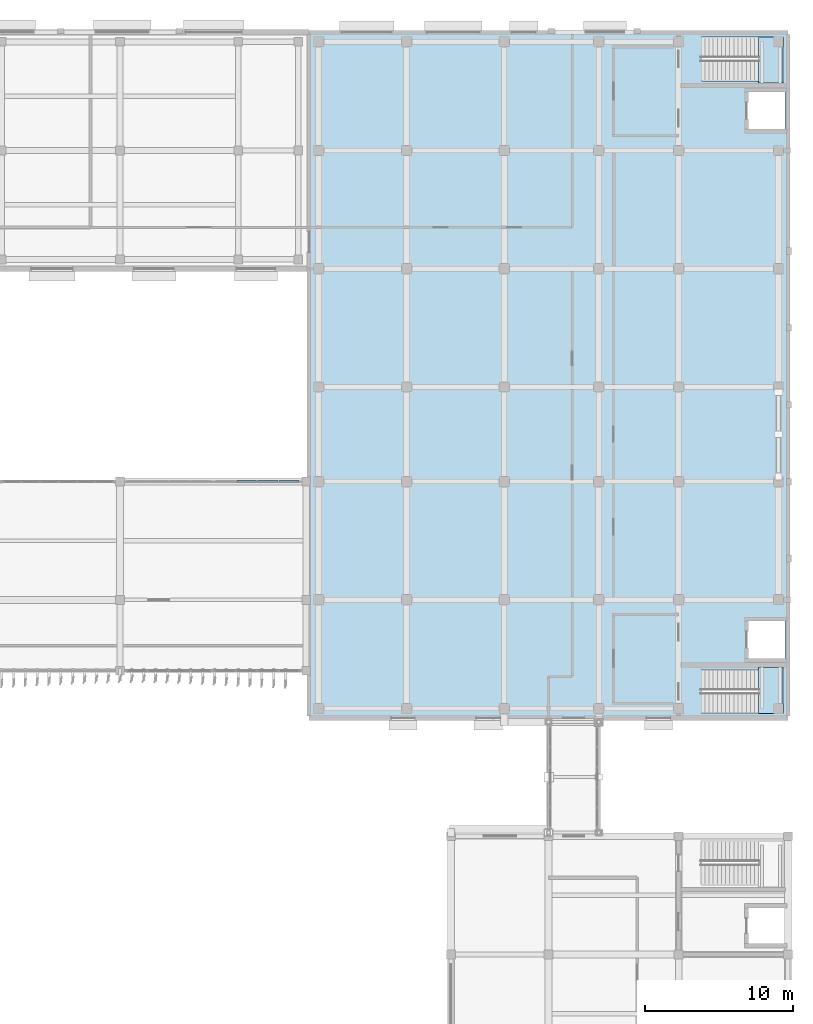
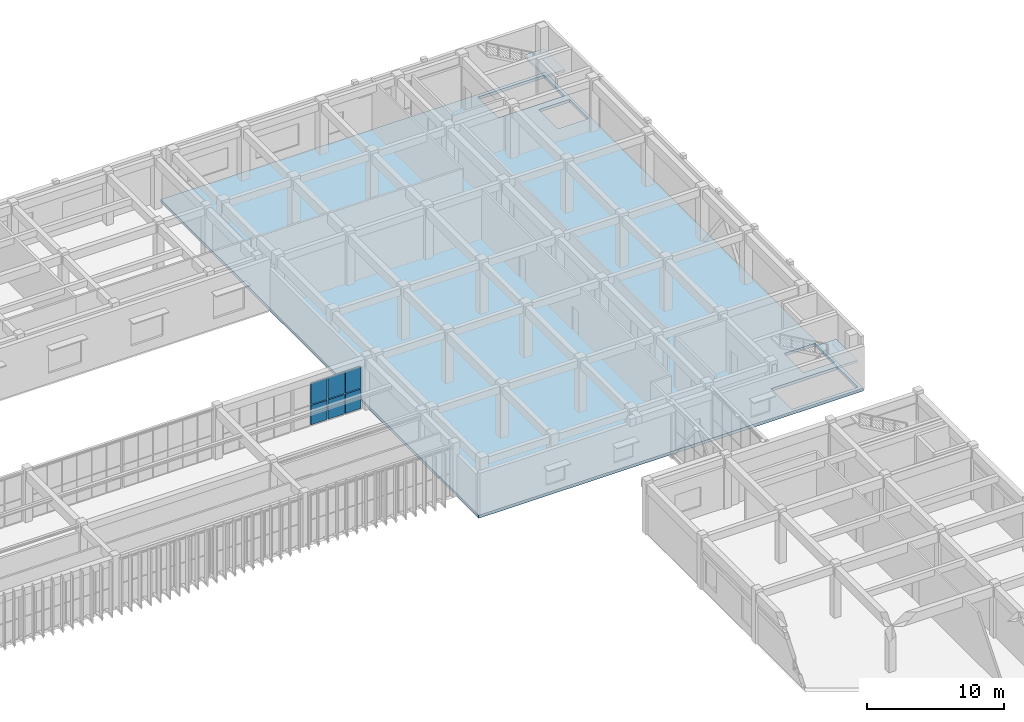
# One storey, part 35 of 64: 6 plates, 3 slabs, 3 elements without a shape of their own.
"""IFC4 building model written with IfcOpenShell, lengths in metres."""

from ifc_helpers import new_model, si_unit, direction, frame, origin, origin_2d, place, context, subcontext, project, spatial, polyline, rectangle, outline, extrude, material, layer, layer_set, type_object, element, aggregate, save


model = new_model("IFC4")

# Units and contexts
model_context = context("Model", 3, precision=1e-05, world=origin(), true_north=direction((0.0, 1.0)))
body_context = subcontext(model_context, "Body", "Model", "MODEL_VIEW")
ifc_project = project(units=[si_unit("LENGTHUNIT", "METRE"), si_unit("AREAUNIT", "SQUARE_METRE"), si_unit("VOLUMEUNIT", "CUBIC_METRE"), si_unit("PLANEANGLEUNIT", "RADIAN"), si_unit("MASSUNIT", "GRAM", prefix="KILO")], contexts=[model_context])

# Site, building, storey
site_placement = place(None, origin())
site = spatial("IfcSite", under=ifc_project, at=site_placement, CompositionType="ELEMENT")
building_placement = place(site_placement, origin())
building = spatial("IfcBuilding", under=site, at=building_placement, Name="Cinchona Park Media Centre", CompositionType="ELEMENT")
storey_placement = place(building_placement, frame((0.0, 0.0, 5.39990234375)))
storey = spatial("IfcBuildingStorey", under=building, at=storey_placement, Name="L01", CompositionType="ELEMENT", Elevation=5.39990234375)

# Curtain wall, plates
ifc_material_1 = material(Name="Aluminium Curtain Wall Framing", Category="aluminium")
ifc_layer_1 = layer(ifc_material_1, 0.22509765625)
ifc_layer_set_1 = layer_set([ifc_layer_1], Name="Aluminium Curtain Wall Framing")
curtain_wall_type = type_object("IfcCurtainWallType", Name="CW-CW04", PredefinedType="USERDEFINED", material=ifc_layer_set_1)
curtain_wall_placement = place(storey_placement, origin())
curtain_wall = element("IfcCurtainWall", 1, at=curtain_wall_placement, inside=storey, type_object=curtain_wall_type, Name="Curtain Wall CW04 L01", ObjectType="UNITISED CURTAIN WALL", PredefinedType="USERDEFINED")
ifc_material_2 = material(Name="Insulated Acoustic Aluminium-Glass Spandrel Cassette", Category="aluminium")
ifc_layer_2 = layer(ifc_material_2, 0.139892578125)
ifc_layer_set_2 = layer_set([ifc_layer_2], Name="Insulated Acoustic Aluminium-Glass Spandrel Cassette")
plate_type = type_object("IfcPlateType", Name="CWPANEL-PNL13", PredefinedType="CURTAIN_PANEL", material=ifc_layer_set_2)
plate_1_placement = place(storey_placement, frame((135.35498046875, 87.60009765625, 0.125), z_axis=(0.0, 0.0, 1.0), x_axis=(1.0, 0.0, 0.0)))
plate_1 = element("IfcPlate", 2, at=plate_1_placement, type_object=plate_type, Name="CW04 panel 2.1", PredefinedType="CURTAIN_PANEL", context=body_context, shape_type="SweptSolid", body=[
    extrude(rectangle(XDim=1.375, YDim=0.139892578125, at=origin_2d()), origin(), (0.0, 0.0, 1.0), 1.73046875),
])
plate_2_placement = place(storey_placement, frame((135.35498046875, 87.60009765625, 1.9306640625), z_axis=(0.0, 0.0, 1.0), x_axis=(1.0, 0.0, 0.0)))
plate_2 = element("IfcPlate", 3, at=plate_2_placement, type_object=plate_type, Name="CW04 panel 2.2", PredefinedType="CURTAIN_PANEL", context=body_context, shape_type="SweptSolid", body=[
    extrude(rectangle(XDim=1.375, YDim=0.139892578125, at=origin_2d()), origin(), (0.0, 0.0, 1.0), 1.884521484375),
])
plate_3_placement = place(storey_placement, frame((136.804931640625, 87.60009765625, 0.125), z_axis=(0.0, 0.0, 1.0), x_axis=(1.0, 0.0, 0.0)))
plate_3 = element("IfcPlate", 4, at=plate_3_placement, type_object=plate_type, Name="CW04 panel 3.1", PredefinedType="CURTAIN_PANEL", context=body_context, shape_type="SweptSolid", body=[
    extrude(rectangle(XDim=1.375, YDim=0.139892578125, at=origin_2d()), origin(), (0.0, 0.0, 1.0), 1.73046875),
])
plate_4_placement = place(storey_placement, frame((136.804931640625, 87.60009765625, 1.9306640625), z_axis=(0.0, 0.0, 1.0), x_axis=(1.0, 0.0, 0.0)))
plate_4 = element("IfcPlate", 5, at=plate_4_placement, type_object=plate_type, Name="CW04 panel 3.2", PredefinedType="CURTAIN_PANEL", context=body_context, shape_type="SweptSolid", body=[
    extrude(rectangle(XDim=1.375, YDim=0.139892578125, at=origin_2d()), origin(), (0.0, 0.0, 1.0), 1.884521484375),
])
plate_5_placement = place(storey_placement, frame((138.236328125, 87.60009765625, 0.125), z_axis=(0.0, 0.0, 1.0), x_axis=(1.0, 0.0, 0.0)))
plate_5 = element("IfcPlate", 6, at=plate_5_placement, type_object=plate_type, Name="CW04 panel 4.1", PredefinedType="CURTAIN_PANEL", context=body_context, shape_type="SweptSolid", body=[
    extrude(rectangle(XDim=1.33740234375, YDim=0.139892578125, at=origin_2d()), origin(), (0.0, 0.0, 1.0), 1.73046875),
])
plate_6_placement = place(storey_placement, frame((138.236328125, 87.60009765625, 1.9306640625), z_axis=(0.0, 0.0, 1.0), x_axis=(1.0, 0.0, 0.0)))
plate_6 = element("IfcPlate", 7, at=plate_6_placement, type_object=plate_type, Name="CW04 panel 4.2", PredefinedType="CURTAIN_PANEL", context=body_context, shape_type="SweptSolid", body=[
    extrude(rectangle(XDim=1.33740234375, YDim=0.139892578125, at=origin_2d()), origin(), (0.0, 0.0, 1.0), 1.884521484375),
])
aggregate(curtain_wall, [plate_1, plate_2, plate_3, plate_4, plate_5, plate_6])

# Stair, slab
ifc_material_3 = material(Name="Concrete C35/45", Category="concrete")
stair_type_1 = type_object("IfcStairType", Name="STAIR-ST1-HT48", PredefinedType="HALF_TURN_STAIR", material=ifc_material_3)
stair_1_placement = place(storey_placement, origin())
stair_1 = element("IfcStair", 8, at=stair_1_placement, inside=storey, type_object=stair_type_1, Name="Exit Stair ST1 L01", PredefinedType="HALF_TURN_STAIR")
ifc_material_4 = material(Name="Concrete C35/45", Category="concrete")
ifc_layer_3 = layer(ifc_material_4, 0.205078125)
ifc_layer_set_3 = layer_set([ifc_layer_3], Name="Concrete C35/45")
slab_type_1 = type_object("IfcSlabType", Name="LANDING-LDG01", PredefinedType="LANDING", material=ifc_layer_set_3)
slab_1_placement = place(storey_placement, frame((0.0, 0.0, 2.195068359375)))
slab_1 = element("IfcSlab", 9, at=slab_1_placement, type_object=slab_type_1, Name="ST1 landing 1", PredefinedType="LANDING", context=body_context, shape_type="SweptSolid", body=[
    extrude(outline(polyline([(170.02001953125, 71.919921875), (171.679931640625, 71.919921875), (171.679931640625, 75.02001953125), (170.02001953125, 75.02001953125), (170.02001953125, 71.919921875)])), origin(), (0.0, 0.0, 1.0), 0.205078125),
])
aggregate(stair_1, [slab_1])

ifc_material_5 = material(Name="Concrete C35/45", Category="concrete")
stair_type_2 = type_object("IfcStairType", Name="STAIR-ST2-HT48", PredefinedType="HALF_TURN_STAIR", material=ifc_material_5)
stair_2_placement = place(storey_placement, origin())
stair_2 = element("IfcStair", 10, at=stair_2_placement, inside=storey, type_object=stair_type_2, Name="Exit Stair ST2 L01", PredefinedType="HALF_TURN_STAIR")
slab_2_placement = place(storey_placement, frame((0.0, 0.0, 2.195068359375)))
slab_2 = element("IfcSlab", 11, at=slab_2_placement, type_object=slab_type_1, Name="ST2 landing 1", PredefinedType="LANDING", context=body_context, shape_type="SweptSolid", body=[
    extrude(outline(polyline([(170.02001953125, 114.580078125), (171.679931640625, 114.580078125), (171.679931640625, 117.679931640625), (170.02001953125, 117.679931640625), (170.02001953125, 114.580078125)])), origin(), (0.0, 0.0, 1.0), 0.205078125),
])
aggregate(stair_2, [slab_2])

# Slab
ifc_material_6 = material(Name="Concrete C35/45", Category="concrete")
ifc_layer_4 = layer(ifc_material_6, 0.260009765625)
ifc_layer_set_4 = layer_set([ifc_layer_4], Name="Concrete C35/45")
slab_type_2 = type_object("IfcSlabType", Name="SLAB-SL05-260", PredefinedType="FLOOR", material=ifc_layer_set_4)
slab_3_placement = place(storey_placement, frame((0.0, 0.0, -0.260009765625)))
element("IfcSlab", 12, at=slab_3_placement, inside=storey, type_object=slab_type_2, Name="Floor Slab V7 L01", PredefinedType="FLOOR", context=body_context, shape_type="SweptSolid", body=[
    extrude(outline(polyline([(139.60009765625, 71.60009765625), (172.0, 71.60009765625), (172.0, 118.0), (139.60009765625, 118.0), (139.60009765625, 71.60009765625)]), holes=[polyline([(166.135009765625, 71.89990234375), (171.699951171875, 71.89990234375), (171.699951171875, 74.89990234375), (166.135009765625, 74.89990234375), (166.135009765625, 71.89990234375)]), polyline([(169.199951171875, 75.5), (171.800048828125, 75.5), (171.800048828125, 78.300048828125), (169.199951171875, 78.300048828125), (169.199951171875, 75.5)]), polyline([(166.135009765625, 114.699951171875), (171.699951171875, 114.699951171875), (171.699951171875, 117.699951171875), (166.135009765625, 117.699951171875), (166.135009765625, 114.699951171875)]), polyline([(169.199951171875, 111.300048828125), (171.800048828125, 111.300048828125), (171.800048828125, 114.10009765625), (169.199951171875, 114.10009765625), (169.199951171875, 111.300048828125)])]), origin(), (0.0, 0.0, 1.0), 0.260009765625),
])

save(model, "model.ifc")
